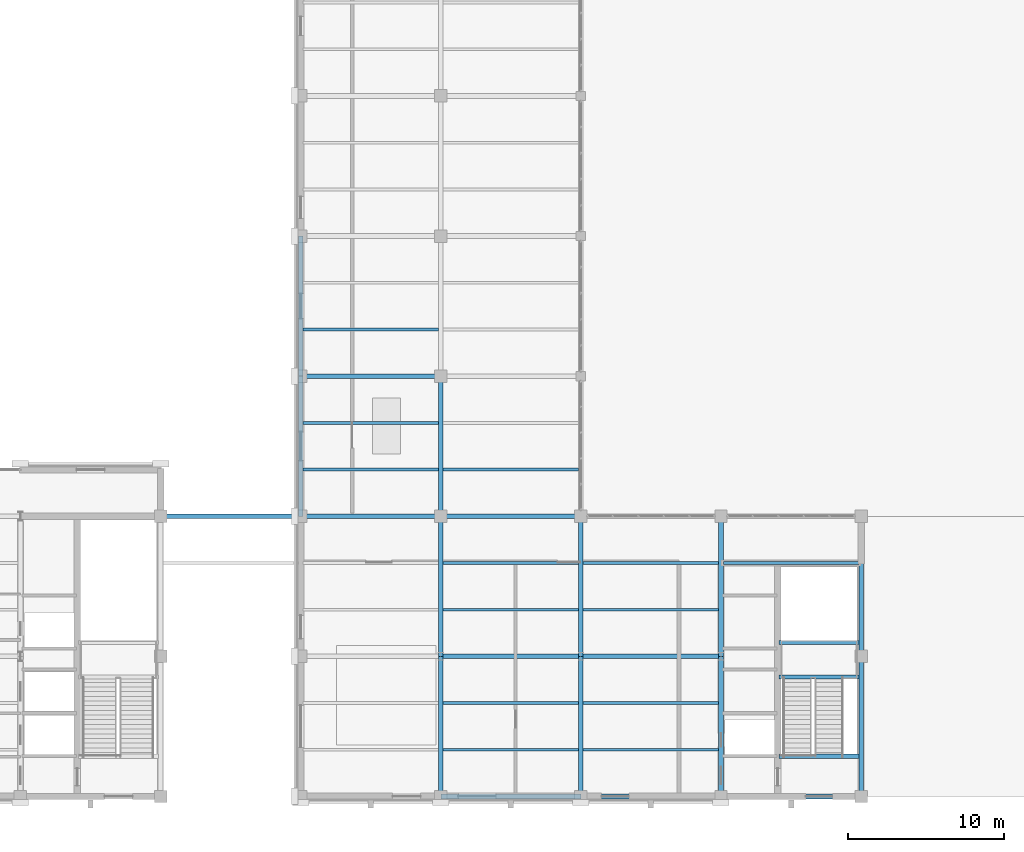
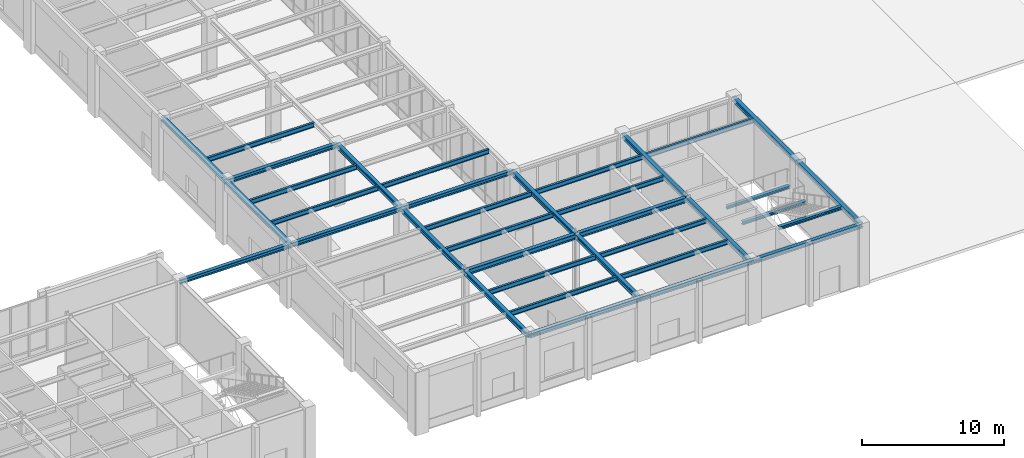
# One storey, part 32 of 77: 36 beams.
"""IFC4 building model written with IfcOpenShell, lengths in metres."""

from ifc_helpers import new_model, si_unit, direction, frame, origin, origin_2d, place, context, subcontext, project, spatial, i_section, extrude, material, material_profile, profile_set, type_object, element, save


model = new_model("IFC4")

# Units and contexts
model_context = context("Model", 3, precision=1e-05, world=origin(), true_north=direction((0.0, 1.0)))
body_context = subcontext(model_context, "Body", "Model", "MODEL_VIEW")
ifc_project = project(units=[si_unit("LENGTHUNIT", "METRE"), si_unit("AREAUNIT", "SQUARE_METRE"), si_unit("VOLUMEUNIT", "CUBIC_METRE"), si_unit("PLANEANGLEUNIT", "RADIAN"), si_unit("MASSUNIT", "GRAM", prefix="KILO")], contexts=[model_context])

# Site, building, storey
site_placement = place(None, origin())
site = spatial("IfcSite", under=ifc_project, at=site_placement, CompositionType="ELEMENT")
building_placement = place(site_placement, origin())
building = spatial("IfcBuilding", under=site, at=building_placement, Name="Lykobir Media Centre", CompositionType="ELEMENT")
storey_placement = place(building_placement, origin())
storey = spatial("IfcBuildingStorey", under=building, at=storey_placement, Name="L00", CompositionType="ELEMENT", Elevation=0.0)

# Beams
ifc_material = material(Name="Steel S355", Category="steel")
ifc_material_profile_1 = material_profile(ifc_material, i_section(OverallWidth=0.300048828125, OverallDepth=0.389892578125, WebThickness=0.010986328125, FlangeThickness=0.01904296875, at=origin_2d()), Name="HEA 400")
ifc_profile_set_1 = profile_set([ifc_material_profile_1], Name="Steel S355")
beam_type_1 = type_object("IfcBeamType", Name="BM-HEA400", PredefinedType="BEAM", material=ifc_profile_set_1)
for number, where, z_axis, x_axis, name in (
    (1, (99.0, 0.0, 4.965087890625), (0.0, 1.0, 0.0), (-1.0, 0.0, 0.0), "Beam BM-L00-0990-0000-0990-0090-496"),
    (2, (99.0, 9.0, 4.965087890625), (0.0, 1.0, 0.0), (-1.0, 0.0, 0.0), "Beam BM-L00-0990-0090-0990-0180-496"),
    (3, (99.0, 18.0, 4.965087890625), (0.0, 1.0, 0.0), (-1.0, 0.0, 0.0), "Beam BM-L00-0990-0180-0990-0270-496"),
    (4, (108.0, 0.0, 4.965087890625), (0.0, 1.0, 0.0), (-1.0, 0.0, 0.0), "Beam BM-L00-1080-0000-1080-0090-496"),
    (5, (108.0, 9.0, 4.965087890625), (0.0, 1.0, 0.0), (-1.0, 0.0, 0.0), "Beam BM-L00-1080-0090-1080-0180-496"),
    (6, (117.0, 0.0, 4.965087890625), (0.0, 1.0, 0.0), (-1.0, 0.0, 0.0), "Beam BM-L00-1170-0000-1170-0090-496"),
    (7, (117.0, 9.0, 4.965087890625), (0.0, 1.0, 0.0), (-1.0, 0.0, 0.0), "Beam BM-L00-1170-0090-1170-0180-496"),
    (8, (126.0, 0.0, 4.965087890625), (0.0, 1.0, 0.0), (-1.0, 0.0, 0.0), "Beam BM-L00-1260-0000-1260-0090-496"),
    (9, (126.0, 9.0, 4.965087890625), (0.0, 1.0, 0.0), (-1.0, 0.0, 0.0), "Beam BM-L00-1260-0090-1260-0180-496"),
):
    element("IfcBeam", number, at=place(storey_placement, frame(where, z_axis=z_axis, x_axis=x_axis)), inside=storey, type_object=beam_type_1, Name=name, PredefinedType="BEAM", context=body_context, shape_type="SweptSolid", body=[
        extrude(i_section(OverallWidth=0.300048828125, OverallDepth=0.389892578125, WebThickness=0.010986328125, FlangeThickness=0.01904296875, at=origin_2d()), origin(), (0.0, 0.0, 1.0), 9.0),
    ])
ifc_material_profile_2 = material_profile(ifc_material, i_section(OverallWidth=0.300048828125, OverallDepth=0.43994140625, WebThickness=0.011474609375, FlangeThickness=0.02099609375, at=origin_2d()), Name="HEA 450")
ifc_profile_set_2 = profile_set([ifc_material_profile_2], Name="Steel S355")
beam_type_2 = type_object("IfcBeamType", Name="BM-HEA450", PredefinedType="BEAM", material=ifc_profile_set_2)
for number, where, z_axis, x_axis, name in (
    (10, (99.0, 9.0, 4.93994140625), (1.0, 0.0, 0.0), (0.0, 1.0, 0.0), "Beam BM-L00-0990-0090-1080-0090-494"),
    (11, (108.0, 9.0, 4.93994140625), (1.0, 0.0, 0.0), (0.0, 1.0, 0.0), "Beam BM-L00-1080-0090-1170-0090-494"),
):
    element("IfcBeam", number, at=place(storey_placement, frame(where, z_axis=z_axis, x_axis=x_axis)), inside=storey, type_object=beam_type_2, Name=name, PredefinedType="BEAM", context=body_context, shape_type="SweptSolid", body=[
        extrude(i_section(OverallWidth=0.300048828125, OverallDepth=0.43994140625, WebThickness=0.011474609375, FlangeThickness=0.02099609375, at=origin_2d()), origin(), (0.0, 0.0, 1.0), 9.0),
    ])
ifc_material_profile_3 = material_profile(ifc_material, i_section(OverallWidth=0.260009765625, OverallDepth=0.25, WebThickness=0.007568359375, FlangeThickness=0.012451171875, at=origin_2d()), Name="HEA 260")
ifc_profile_set_3 = profile_set([ifc_material_profile_3], Name="Steel S355")
beam_type_3 = type_object("IfcBeamType", Name="BM-ST260", PredefinedType="BEAM", material=ifc_profile_set_3)
beam_placement = place(storey_placement, frame((120.72998046875, 9.8798828125, 2.389892578125), z_axis=(1.0, 0.0, 0.0), x_axis=(0.0, 1.0, 0.0)))
element("IfcBeam", 12, at=beam_placement, inside=storey, type_object=beam_type_3, Name="ST-5 L00 half-landing support beam", PredefinedType="BEAM", context=body_context, shape_type="SweptSolid", body=[
    extrude(i_section(OverallWidth=0.260009765625, OverallDepth=0.25, WebThickness=0.007568359375, FlangeThickness=0.012451171875, at=origin_2d()), origin(), (0.0, 0.0, 1.0), 5.14013671875),
])
ifc_material_profile_4 = material_profile(ifc_material, i_section(OverallWidth=0.280029296875, OverallDepth=0.27001953125, WebThickness=0.008056640625, FlangeThickness=0.012939453125, at=origin_2d()), Name="HEA 280")
ifc_profile_set_4 = profile_set([ifc_material_profile_4], Name="Steel S355")
beam_type_4 = type_object("IfcBeamType", Name="BM-ST280", PredefinedType="BEAM", material=ifc_profile_set_4)
for number, where, z_axis, x_axis, name in (
    (13, (120.72998046875, 2.580078125, 5.02490234375), (1.0, 0.0, 0.0), (0.0, 1.0, 0.0), "ST-5 L00 arrival trimmer beam"),
    (14, (120.72998046875, 7.679931640625, 2.3798828125), (1.0, 0.0, 0.0), (0.0, 1.0, 0.0), "ST-5 L00 mid-landing trimmer beam"),
):
    element("IfcBeam", number, at=place(storey_placement, frame(where, z_axis=z_axis, x_axis=x_axis)), inside=storey, type_object=beam_type_4, Name=name, PredefinedType="BEAM", context=body_context, shape_type="SweptSolid", body=[
        extrude(i_section(OverallWidth=0.280029296875, OverallDepth=0.27001953125, WebThickness=0.008056640625, FlangeThickness=0.012939453125, at=origin_2d()), origin(), (0.0, 0.0, 1.0), 5.14013671875),
    ])
ifc_material_profile_5 = material_profile(ifc_material, i_section(OverallWidth=0.179931640625, OverallDepth=0.39990234375, WebThickness=0.008544921875, FlangeThickness=0.013427734375, at=origin_2d()), Name="IPE 400")
ifc_profile_set_5 = profile_set([ifc_material_profile_5], Name="Steel S355")
beam_type_5 = type_object("IfcBeamType", Name="JS-IPE400", PredefinedType="JOIST", material=ifc_profile_set_5)
for number, where, z_axis, x_axis, name in (
    (15, (90.14990234375, 21.0, 4.9599609375), (1.0, 0.0, 0.0), (0.0, 1.0, 0.0), "Beam BM-L00-0902-0210-0988-0210-496"),
    (16, (90.14990234375, 24.0, 4.9599609375), (1.0, 0.0, 0.0), (0.0, 1.0, 0.0), "Beam BM-L00-0902-0240-0988-0240-496"),
    (17, (90.14990234375, 30.0, 4.9599609375), (1.0, 0.0, 0.0), (0.0, 1.0, 0.0), "Beam BM-L00-0902-0300-0988-0300-496"),
    (18, (99.14990234375, 3.0, 4.9599609375), (1.0, 0.0, 0.0), (0.0, 1.0, 0.0), "Beam BM-L00-0992-0030-1078-0030-496"),
    (19, (99.14990234375, 6.0, 4.9599609375), (1.0, 0.0, 0.0), (0.0, 1.0, 0.0), "Beam BM-L00-0992-0060-1078-0060-496"),
    (20, (99.14990234375, 12.0, 4.9599609375), (1.0, 0.0, 0.0), (0.0, 1.0, 0.0), "Beam BM-L00-0992-0120-1078-0120-496"),
    (21, (99.14990234375, 15.0, 4.9599609375), (1.0, 0.0, 0.0), (0.0, 1.0, 0.0), "Beam BM-L00-0992-0150-1078-0150-496"),
    (22, (99.14990234375, 21.0, 4.97998046875), (1.0, 0.0, 0.0), (0.0, 1.0, 0.0), "Beam BM-L00-0992-0210-1078-0210-498"),
    (23, (108.14990234375, 3.0, 4.9599609375), (1.0, 0.0, 0.0), (0.0, 1.0, 0.0), "Beam BM-L00-1082-0030-1168-0030-496"),
    (24, (108.14990234375, 6.0, 4.9599609375), (1.0, 0.0, 0.0), (0.0, 1.0, 0.0), "Beam BM-L00-1082-0060-1168-0060-496"),
    (25, (108.14990234375, 12.0, 4.9599609375), (1.0, 0.0, 0.0), (0.0, 1.0, 0.0), "Beam BM-L00-1082-0120-1168-0120-496"),
    (26, (108.14990234375, 15.0, 4.9599609375), (1.0, 0.0, 0.0), (0.0, 1.0, 0.0), "Beam BM-L00-1082-0150-1168-0150-496"),
    (27, (117.14990234375, 15.0, 4.9599609375), (1.0, 0.0, 0.0), (0.0, 1.0, 0.0), "Beam BM-L00-1172-0150-1258-0150-496"),
):
    element("IfcBeam", number, at=place(storey_placement, frame(where, z_axis=z_axis, x_axis=x_axis)), inside=storey, type_object=beam_type_5, Name=name, PredefinedType="JOIST", context=body_context, shape_type="SweptSolid", body=[
        extrude(i_section(OverallWidth=0.179931640625, OverallDepth=0.39990234375, WebThickness=0.008544921875, FlangeThickness=0.013427734375, at=origin_2d()), origin(), (0.0, 0.0, 1.0), 8.7001953125),
    ])
ifc_material_profile_6 = material_profile(ifc_material, i_section(OverallWidth=0.300048828125, OverallDepth=0.35009765625, WebThickness=0.010009765625, FlangeThickness=0.017578125, at=origin_2d()), Name="HEA 360")
ifc_profile_set_6 = profile_set([ifc_material_profile_6], Name="Steel S355")
beam_type_6 = type_object("IfcBeamType", Name="SP-HEA360", PredefinedType="SPANDREL", material=ifc_profile_set_6)
for number, where, z_axis, x_axis, name in (
    (28, (81.0, 18.0, 4.98291015625), (1.0, 0.0, 0.0), (0.0, 1.0, 0.0), "Beam BM-L00-0810-0180-0900-0180-504"),
    (29, (90.0, 18.0, 4.985107421875), (1.0, 0.0, 0.0), (0.0, 1.0, 0.0), "Beam BM-L00-0900-0180-0990-0180-499"),
    (30, (99.0, 18.0, 4.985107421875), (1.0, 0.0, 0.0), (0.0, 1.0, 0.0), "Beam BM-L00-0990-0180-1080-0180-499"),
    (31, (90.0, 27.0, 4.985107421875), (1.0, 0.0, 0.0), (0.0, 1.0, 0.0), "Beam BM-L00-0900-0270-0990-0270-499"),
):
    element("IfcBeam", number, at=place(storey_placement, frame(where, z_axis=z_axis, x_axis=x_axis)), inside=storey, type_object=beam_type_6, Name=name, PredefinedType="SPANDREL", context=body_context, shape_type="SweptSolid", body=[
        extrude(i_section(OverallWidth=0.300048828125, OverallDepth=0.35009765625, WebThickness=0.010009765625, FlangeThickness=0.017578125, at=origin_2d()), origin(), (0.0, 0.0, 1.0), 9.0),
    ])
ifc_material_profile_7 = material_profile(ifc_material, i_section(OverallWidth=0.300048828125, OverallDepth=0.35009765625, WebThickness=0.010009765625, FlangeThickness=0.017578125, at=origin_2d()), Name="HEA 360")
ifc_profile_set_7 = profile_set([ifc_material_profile_7], Name="Steel S355")
beam_type_7 = type_object("IfcBeamType", Name="SP-HEA360-E", PredefinedType="SPANDREL", material=ifc_profile_set_7)
for number, where, z_axis, x_axis, name in (
    (32, (99.0, 0.0, 4.985107421875), (1.0, 0.0, 0.0), (0.0, 1.0, 0.0), "Beam BM-L00-0990-0000-1080-0000-499"),
    (33, (108.0, 0.0, 4.985107421875), (1.0, 0.0, 0.0), (0.0, 1.0, 0.0), "Beam BM-L00-1080-0000-1170-0000-499"),
    (34, (117.0, 0.0, 4.985107421875), (1.0, 0.0, 0.0), (0.0, 1.0, 0.0), "Beam BM-L00-1170-0000-1260-0000-499"),
    (35, (90.0, 18.0, 4.985107421875), (0.0, 1.0, 0.0), (-1.0, 0.0, 0.0), "Beam BM-L00-0900-0180-0900-0270-499"),
    (36, (90.0, 27.0, 4.985107421875), (0.0, 1.0, 0.0), (-1.0, 0.0, 0.0), "Beam BM-L00-0900-0270-0900-0360-499"),
):
    element("IfcBeam", number, at=place(storey_placement, frame(where, z_axis=z_axis, x_axis=x_axis)), inside=storey, type_object=beam_type_7, Name=name, PredefinedType="SPANDREL", context=body_context, shape_type="SweptSolid", body=[
        extrude(i_section(OverallWidth=0.300048828125, OverallDepth=0.35009765625, WebThickness=0.010009765625, FlangeThickness=0.017578125, at=origin_2d()), origin(), (0.0, 0.0, 1.0), 9.0),
    ])

save(model, "model.ifc")
